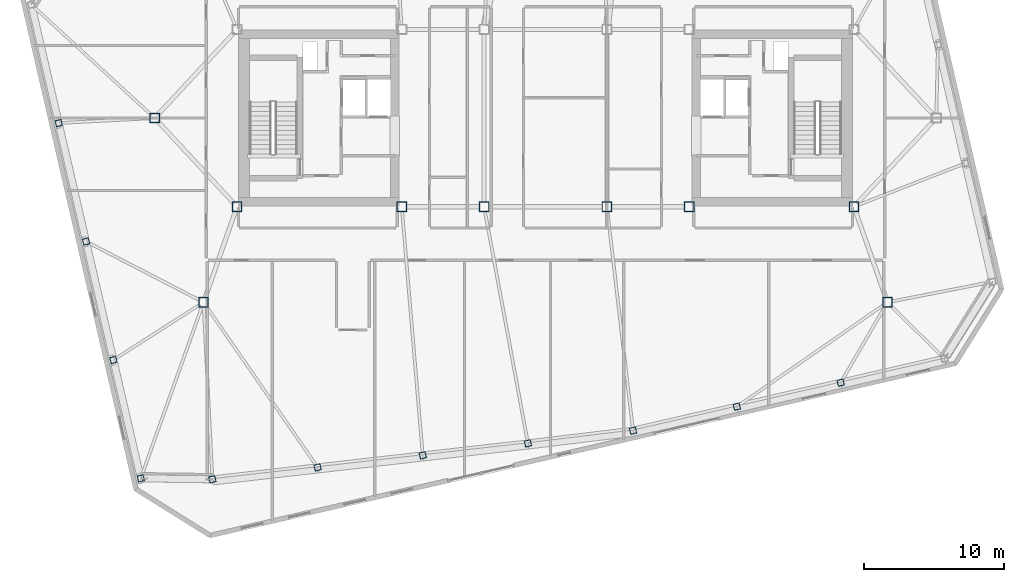
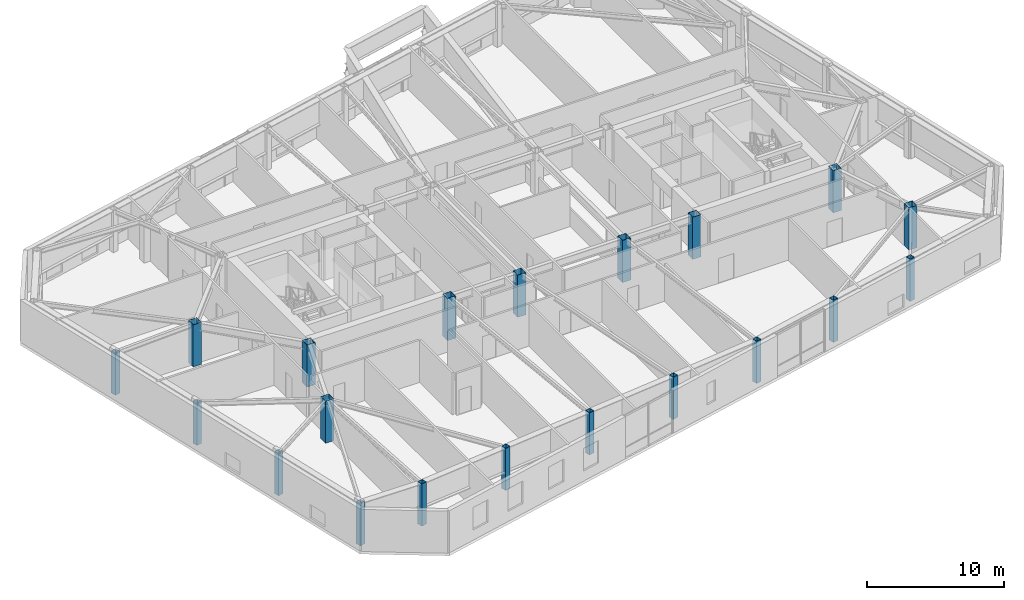
# One storey, part 1 of 23: 20 columns.
"""IFC4 building model written with IfcOpenShell, lengths in metres."""

from ifc_helpers import new_model, si_unit, direction, frame, origin, origin_2d, place, context, subcontext, project, spatial, hollow_rectangle, extrude, material, material_profile, profile_set, type_object, element, save


model = new_model("IFC4")

# Units and contexts
model_context = context("Model", 3, precision=1e-05, world=origin(), true_north=direction((0.0, 1.0)))
body_context = subcontext(model_context, "Body", "Model", "MODEL_VIEW")
ifc_project = project(units=[si_unit("LENGTHUNIT", "METRE"), si_unit("AREAUNIT", "SQUARE_METRE"), si_unit("VOLUMEUNIT", "CUBIC_METRE"), si_unit("PLANEANGLEUNIT", "RADIAN"), si_unit("MASSUNIT", "GRAM", prefix="KILO")], contexts=[model_context])

# Site, building, storey
site_placement = place(None, origin())
site = spatial("IfcSite", under=ifc_project, at=site_placement, CompositionType="ELEMENT")
building_placement = place(site_placement, origin())
building = spatial("IfcBuilding", under=site, at=building_placement, Name="Tavrogorsk Clinical Tower", CompositionType="ELEMENT")
storey_placement = place(building_placement, frame((0.0, 0.0, 305.0)))
storey = spatial("IfcBuildingStorey", under=building, at=storey_placement, Name="L71", CompositionType="ELEMENT", Elevation=305.0)

# Columns
ifc_material_1 = material(Name="Structural steel S440", Category="steel")
ifc_material_profile_1 = material_profile(ifc_material_1, hollow_rectangle(XDim=0.699951171875, YDim=0.699951171875, WallThickness=0.031982421875, at=origin_2d()), Name="BOX-700x700x32")
ifc_profile_set_1 = profile_set([ifc_material_profile_1], Name="Structural steel S440")
column_type_1 = type_object("IfcColumnType", Name="MegaCol_BOX700", PredefinedType="COLUMN", material=ifc_profile_set_1)
for number, where, z_axis, x_axis, name in (
    (1, (-22.10009765625, -6.35009765625, 0.0), (0.0, 0.0, 1.0), (1.0, 0.0, 0.0), "L71 Mega Column MC-W1"),
    (2, (-10.300048828125, -6.35009765625, 0.0), (0.0, 0.0, 1.0), (1.0, 0.0, 0.0), "L71 Mega Column MC-W3"),
    (3, (10.300048828125, -6.35009765625, 0.0), (0.0, 0.0, 1.0), (1.0, 0.0, 0.0), "L71 Mega Column MC-E1"),
    (4, (22.10009765625, -6.35009765625, 0.0), (0.0, 0.0, 1.0), (1.0, 0.0, 0.0), "L71 Mega Column MC-E3"),
    (5, (-4.39990234375, -6.35009765625, 0.0), (0.0, 0.0, 1.0), (1.0, 0.0, 0.0), "L71 Mega Column MC-C1"),
    (6, (4.39990234375, -6.35009765625, 0.0), (0.0, 0.0, 1.0), (1.0, 0.0, 0.0), "L71 Mega Column MC-C2"),
    (7, (-24.5, -13.199951171875, 0.0), (0.0, 0.0, 1.0), (1.0, 0.0, 0.0), "L71 Spine Pilotis Column MC-P1"),
    (8, (24.5, -13.199951171875, 0.0), (0.0, 0.0, 1.0), (1.0, 0.0, 0.0), "L71 Spine Pilotis Column MC-P2"),
    (9, (-28.0, 0.0, 0.0), (0.0, 0.0, 1.0), (1.0, 0.0, 0.0), "L71 Spine Pilotis Column MC-P5"),
):
    element("IfcColumn", number, at=place(storey_placement, frame(where, z_axis=z_axis, x_axis=x_axis)), inside=storey, type_object=column_type_1, Name=name, PredefinedType="COLUMN", context=body_context, shape_type="SweptSolid", body=[
        extrude(hollow_rectangle(XDim=0.699951171875, YDim=0.699951171875, WallThickness=0.031982421875, at=origin_2d()), origin(), (0.0, 0.0, 1.0), 3.739990234375),
    ])
ifc_material_2 = material(Name="Structural steel S440", Category="steel")
ifc_material_profile_2 = material_profile(ifc_material_2, hollow_rectangle(XDim=0.449951171875, YDim=0.449951171875, WallThickness=0.02197265625, at=origin_2d()), Name="BOX-450x450x22")
ifc_profile_set_2 = profile_set([ifc_material_profile_2], Name="Structural steel S440")
column_type_2 = type_object("IfcColumnType", Name="PerimCol_B5_BOX450", PredefinedType="COLUMN", material=ifc_profile_set_2)
for number, where, z_axis, x_axis, name in (
    (10, (-23.866943359375, -25.8857421875, 0.0), (0.0, 0.0, 1.0), (0.974370064785, 0.224951054344, 0.0), "L71 Perimeter Column S1"),
    (11, (-16.330322265625, -25.027099609375, 0.0), (0.0, 0.0, 1.0), (0.974370064785, 0.224951054344, 0.0), "L71 Perimeter Column S2"),
    (12, (-8.7939453125, -24.16845703125, 0.0), (0.0, 0.0, 1.0), (0.974370064785, 0.224951054344, 0.0), "L71 Perimeter Column S3"),
    (13, (-1.257568359375, -23.309814453125, 0.0), (0.0, 0.0, 1.0), (0.974370064785, 0.224951054344, 0.0), "L71 Perimeter Column S4"),
    (14, (6.272705078125, -22.39697265625, 0.0), (0.0, 0.0, 1.0), (0.974370064785, 0.224951054344, 0.0), "L71 Perimeter Column S5"),
    (15, (13.711181640625, -20.6796875, 0.0), (0.0, 0.0, 1.0), (0.974370064785, 0.224951054344, 0.0), "L71 Perimeter Column S6"),
    (16, (21.14990234375, -18.96240234375, 0.0), (0.0, 0.0, 1.0), (0.974370064785, 0.224951054344, 0.0), "L71 Perimeter Column S7"),
    (17, (-34.876708984375, -0.358642578125, 0.0), (0.0, 0.0, 1.0), (0.974370064785, 0.224951054344, 0.0), "L71 Perimeter Column W2"),
    (18, (-32.917236328125, -8.845458984375, 0.0), (0.0, 0.0, 1.0), (0.974370064785, 0.224951054344, 0.0), "L71 Perimeter Column W3"),
    (19, (-30.9580078125, -17.332275390625, 0.0), (0.0, 0.0, 1.0), (0.974370064785, 0.224951054344, 0.0), "L71 Perimeter Column W4"),
    (20, (-28.99853515625, -25.819091796875, 0.0), (0.0, 0.0, 1.0), (0.974370064785, 0.224951054344, 0.0), "L71 Perimeter Column W5"),
):
    element("IfcColumn", number, at=place(storey_placement, frame(where, z_axis=z_axis, x_axis=x_axis)), inside=storey, type_object=column_type_2, Name=name, PredefinedType="COLUMN", context=body_context, shape_type="SweptSolid", body=[
        extrude(hollow_rectangle(XDim=0.449951171875, YDim=0.449951171875, WallThickness=0.02197265625, at=origin_2d()), origin(), (0.0, 0.0, 1.0), 3.739990234375),
    ])

save(model, "model.ifc")
